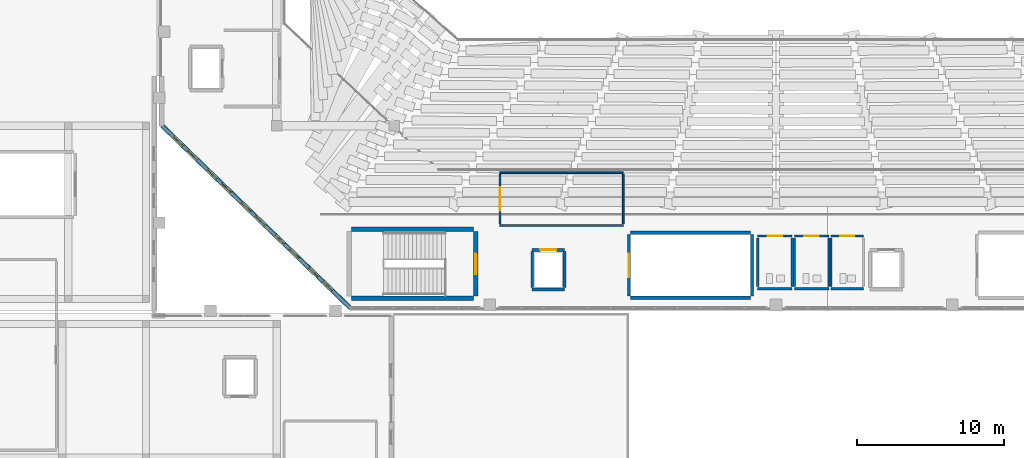
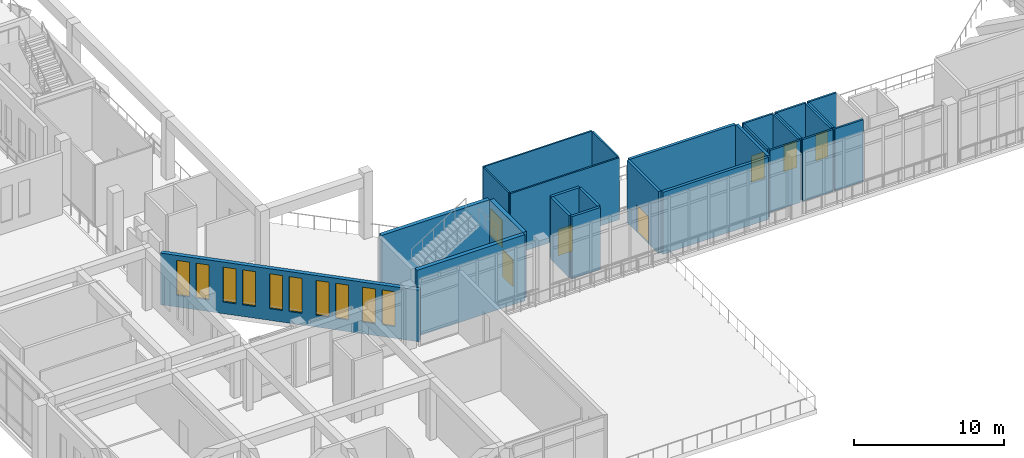
# One storey, part 44 of 55: 27 walls, 10 windows, 7 doors, 17 openings.
"""IFC4 building model written with IfcOpenShell, lengths in metres."""

from ifc_helpers import new_model, si_unit, derived_unit, direction, frame, frame_2d, origin, place, context, subcontext, project, spatial, rectangle, extrude, material, layer, layer_set, type_object, element, fill, save


model = new_model("IFC4")

# Units and contexts
model_context = context("Model", 3, precision=1e-05, world=origin(), true_north=direction((0.0, 1.0)))
body_context = subcontext(model_context, "Body", "Model", "MODEL_VIEW")
ifc_project = project(units=[si_unit("LENGTHUNIT", "METRE"), si_unit("AREAUNIT", "SQUARE_METRE"), si_unit("VOLUMEUNIT", "CUBIC_METRE"), si_unit("PLANEANGLEUNIT", "RADIAN"), si_unit("MASSUNIT", "GRAM", prefix="KILO"), derived_unit("THERMALTRANSMITTANCEUNIT", [(si_unit("MASSUNIT", "GRAM", prefix="KILO"), 1), (si_unit("TIMEUNIT", "SECOND"), -3), (si_unit("THERMODYNAMICTEMPERATUREUNIT", "KELVIN"), -1)])], contexts=[model_context])

# Site, building, storey
site_placement = place(None, origin())
site = spatial("IfcSite", under=ifc_project, at=site_placement, CompositionType="ELEMENT")
building_placement = place(site_placement, origin())
building = spatial("IfcBuilding", under=site, at=building_placement, Name="Valcora Ridge Arena", CompositionType="ELEMENT")
storey_placement = place(building_placement, frame((0.0, 0.0, 21.0)))
storey = spatial("IfcBuildingStorey", under=building, at=storey_placement, Name="L04", CompositionType="ELEMENT", Elevation=21.0)

# Wall, openings, windows
ifc_material_1 = material(Name="Bush-hammered Andean travertine on concrete backup C40/50", Category="masonry")
ifc_layer_1 = layer(ifc_material_1, 0.300048828125, Name="Bush-hammered Andean travertine on concrete backup C40/50")
ifc_layer_set_1 = layer_set([ifc_layer_1], Name="Bush-hammered Andean travertine on concrete backup C40/50")
wall_type_1 = type_object("IfcWallType", Name="TY-WALL-EW-TRV-30-42", PredefinedType="STANDARD", material=ifc_layer_set_1)
wall_1_placement = place(storey_placement, frame((16.199951171875, 32.60009765625, 0.0), z_axis=(0.0, 0.0, 1.0), x_axis=(0.718237441527, -0.695798086796, 0.0)))
wall_1 = element("IfcWall", 1, at=wall_1_placement, inside=storey, type_object=wall_type_1, Name="EW-TRV-30-42 WAL-EW-0061", PredefinedType="STANDARD", context=body_context, shape_type="SweptSolid", body=[
    extrude(rectangle(XDim=17.821533203125, YDim=0.300048828125, at=frame_2d((8.91064453125, 0.0))), origin(), (0.0, 0.0, 1.0), 4.2099609375),
])
opening_1_placement = place(wall_1_placement, frame((1.10009765625, 0.0, 0.949951171875)))
opening_1 = element("IfcOpeningElement", 2, at=opening_1_placement, cuts=wall_1, Name="Opening W-GLAN-90X285", PredefinedType="OPENING", context=body_context, shape_type="SweptSolid", body=[
    extrude(rectangle(XDim=0.89990234375, YDim=2.85009765625, at=frame_2d((0.449951171875, 1.425048828125))), frame((0.0, 0.159912109375, 0.0), z_axis=(0.0, -1.0, 0.0), x_axis=(1.0, 0.0, 0.0)), (0.0, 0.0, 1.0), 0.320068359375),
])
opening_2_placement = place(wall_1_placement, frame((2.449951171875, 0.0, 0.949951171875)))
opening_2 = element("IfcOpeningElement", 3, at=opening_2_placement, cuts=wall_1, Name="Opening W-GLAN-90X285", PredefinedType="OPENING", context=body_context, shape_type="SweptSolid", body=[
    extrude(rectangle(XDim=0.89990234375, YDim=2.85009765625, at=frame_2d((0.449951171875, 1.425048828125))), frame((0.0, 0.159912109375, 0.0), z_axis=(0.0, -1.0, 0.0), x_axis=(1.0, 0.0, 0.0)), (0.0, 0.0, 1.0), 0.320068359375),
])
opening_3_placement = place(wall_1_placement, frame((4.300048828125, 0.0, 0.949951171875)))
opening_3 = element("IfcOpeningElement", 4, at=opening_3_placement, cuts=wall_1, Name="Opening W-GLAN-90X285", PredefinedType="OPENING", context=body_context, shape_type="SweptSolid", body=[
    extrude(rectangle(XDim=0.89990234375, YDim=2.85009765625, at=frame_2d((0.449951171875, 1.425048828125))), frame((0.0, 0.159912109375, 0.0), z_axis=(0.0, -1.0, 0.0), x_axis=(1.0, 0.0, 0.0)), (0.0, 0.0, 1.0), 0.320068359375),
])
opening_4_placement = place(wall_1_placement, frame((5.64990234375, 0.0, 0.949951171875)))
opening_4 = element("IfcOpeningElement", 5, at=opening_4_placement, cuts=wall_1, Name="Opening W-GLAN-90X285", PredefinedType="OPENING", context=body_context, shape_type="SweptSolid", body=[
    extrude(rectangle(XDim=0.89990234375, YDim=2.85009765625, at=frame_2d((0.449951171875, 1.425048828125))), frame((0.0, 0.159912109375, 0.0), z_axis=(0.0, -1.0, 0.0), x_axis=(1.0, 0.0, 0.0)), (0.0, 0.0, 1.0), 0.320068359375),
])
opening_5_placement = place(wall_1_placement, frame((7.5, 0.0, 0.949951171875)))
opening_5 = element("IfcOpeningElement", 6, at=opening_5_placement, cuts=wall_1, Name="Opening W-GLAN-90X285", PredefinedType="OPENING", context=body_context, shape_type="SweptSolid", body=[
    extrude(rectangle(XDim=0.89990234375, YDim=2.85009765625, at=frame_2d((0.449951171875, 1.425048828125))), frame((0.0, 0.159912109375, 0.0), z_axis=(0.0, -1.0, 0.0), x_axis=(1.0, 0.0, 0.0)), (0.0, 0.0, 1.0), 0.320068359375),
])
opening_6_placement = place(wall_1_placement, frame((8.85009765625, 0.0, 0.949951171875)))
opening_6 = element("IfcOpeningElement", 7, at=opening_6_placement, cuts=wall_1, Name="Opening W-GLAN-90X285", PredefinedType="OPENING", context=body_context, shape_type="SweptSolid", body=[
    extrude(rectangle(XDim=0.89990234375, YDim=2.85009765625, at=frame_2d((0.449951171875, 1.425048828125))), frame((0.0, 0.159912109375, 0.0), z_axis=(0.0, -1.0, 0.0), x_axis=(1.0, 0.0, 0.0)), (0.0, 0.0, 1.0), 0.320068359375),
])
opening_7_placement = place(wall_1_placement, frame((10.699951171875, 0.0, 0.949951171875)))
opening_7 = element("IfcOpeningElement", 8, at=opening_7_placement, cuts=wall_1, Name="Opening W-GLAN-90X285", PredefinedType="OPENING", context=body_context, shape_type="SweptSolid", body=[
    extrude(rectangle(XDim=0.89990234375, YDim=2.85009765625, at=frame_2d((0.449951171875, 1.425048828125))), frame((0.0, 0.159912109375, 0.0), z_axis=(0.0, -1.0, 0.0), x_axis=(1.0, 0.0, 0.0)), (0.0, 0.0, 1.0), 0.320068359375),
])
opening_8_placement = place(wall_1_placement, frame((12.050048828125, 0.0, 0.949951171875)))
opening_8 = element("IfcOpeningElement", 9, at=opening_8_placement, cuts=wall_1, Name="Opening W-GLAN-90X285", PredefinedType="OPENING", context=body_context, shape_type="SweptSolid", body=[
    extrude(rectangle(XDim=0.89990234375, YDim=2.85009765625, at=frame_2d((0.449951171875, 1.425048828125))), frame((0.0, 0.159912109375, 0.0), z_axis=(0.0, -1.0, 0.0), x_axis=(1.0, 0.0, 0.0)), (0.0, 0.0, 1.0), 0.320068359375),
])
opening_9_placement = place(wall_1_placement, frame((13.89990234375, 0.0, 0.949951171875)))
opening_9 = element("IfcOpeningElement", 10, at=opening_9_placement, cuts=wall_1, Name="Opening W-GLAN-90X285", PredefinedType="OPENING", context=body_context, shape_type="SweptSolid", body=[
    extrude(rectangle(XDim=0.89990234375, YDim=2.85009765625, at=frame_2d((0.449951171875, 1.425048828125))), frame((0.0, 0.159912109375, 0.0), z_axis=(0.0, -1.0, 0.0), x_axis=(1.0, 0.0, 0.0)), (0.0, 0.0, 1.0), 0.320068359375),
])
opening_10_placement = place(wall_1_placement, frame((15.25, 0.0, 0.949951171875)))
opening_10 = element("IfcOpeningElement", 11, at=opening_10_placement, cuts=wall_1, Name="Opening W-GLAN-90X285", PredefinedType="OPENING", context=body_context, shape_type="SweptSolid", body=[
    extrude(rectangle(XDim=0.89990234375, YDim=2.85009765625, at=frame_2d((0.449951171875, 1.425048828125))), frame((0.0, 0.159912109375, 0.0), z_axis=(0.0, -1.0, 0.0), x_axis=(1.0, 0.0, 0.0)), (0.0, 0.0, 1.0), 0.320068359375),
])
ifc_material_2 = material(Name="Low-iron solar-control double glazing SHGC 0.28", Category="glass")
window_type = type_object("IfcWindowType", Name="TY-WINDOW-W-GLAN-90X285", PartitioningType="DOUBLE_PANEL_VERTICAL", PredefinedType="WINDOW", material=ifc_material_2)
window_1_placement = place(opening_1_placement, origin())
window_1 = element("IfcWindow", 12, at=window_1_placement, inside=storey, type_object=window_type, Name="W-GLAN-90X285 WIN-EX-0141", OverallHeight=2.85009765625, OverallWidth=0.89990234375, PartitioningType="DOUBLE_PANEL_VERTICAL", PredefinedType="WINDOW", context=body_context, shape_type="SweptSolid", body=[
    extrude(rectangle(XDim=0.89990234375, YDim=2.85009765625, at=frame_2d((0.449951171875, 1.425048828125))), frame((0.0, 0.030029296875, 0.0), z_axis=(0.0, -1.0, 0.0), x_axis=(1.0, 0.0, 0.0)), (0.0, 0.0, 1.0), 0.06005859375),
])
fill(opening_1, window_1)
window_2_placement = place(opening_2_placement, origin())
window_2 = element("IfcWindow", 13, at=window_2_placement, inside=storey, type_object=window_type, Name="W-GLAN-90X285 WIN-EX-0142", OverallHeight=2.85009765625, OverallWidth=0.89990234375, PartitioningType="DOUBLE_PANEL_VERTICAL", PredefinedType="WINDOW", context=body_context, shape_type="SweptSolid", body=[
    extrude(rectangle(XDim=0.89990234375, YDim=2.85009765625, at=frame_2d((0.449951171875, 1.425048828125))), frame((0.0, 0.030029296875, 0.0), z_axis=(0.0, -1.0, 0.0), x_axis=(1.0, 0.0, 0.0)), (0.0, 0.0, 1.0), 0.06005859375),
])
fill(opening_2, window_2)
window_3_placement = place(opening_3_placement, origin())
window_3 = element("IfcWindow", 14, at=window_3_placement, inside=storey, type_object=window_type, Name="W-GLAN-90X285 WIN-EX-0143", OverallHeight=2.85009765625, OverallWidth=0.89990234375, PartitioningType="DOUBLE_PANEL_VERTICAL", PredefinedType="WINDOW", context=body_context, shape_type="SweptSolid", body=[
    extrude(rectangle(XDim=0.89990234375, YDim=2.85009765625, at=frame_2d((0.449951171875, 1.425048828125))), frame((0.0, 0.030029296875, 0.0), z_axis=(0.0, -1.0, 0.0), x_axis=(1.0, 0.0, 0.0)), (0.0, 0.0, 1.0), 0.06005859375),
])
fill(opening_3, window_3)
window_4_placement = place(opening_4_placement, origin())
window_4 = element("IfcWindow", 15, at=window_4_placement, inside=storey, type_object=window_type, Name="W-GLAN-90X285 WIN-EX-0144", OverallHeight=2.85009765625, OverallWidth=0.89990234375, PartitioningType="DOUBLE_PANEL_VERTICAL", PredefinedType="WINDOW", context=body_context, shape_type="SweptSolid", body=[
    extrude(rectangle(XDim=0.89990234375, YDim=2.85009765625, at=frame_2d((0.449951171875, 1.425048828125))), frame((0.0, 0.030029296875, 0.0), z_axis=(0.0, -1.0, 0.0), x_axis=(1.0, 0.0, 0.0)), (0.0, 0.0, 1.0), 0.06005859375),
])
fill(opening_4, window_4)
window_5_placement = place(opening_5_placement, origin())
window_5 = element("IfcWindow", 16, at=window_5_placement, inside=storey, type_object=window_type, Name="W-GLAN-90X285 WIN-EX-0145", OverallHeight=2.85009765625, OverallWidth=0.89990234375, PartitioningType="DOUBLE_PANEL_VERTICAL", PredefinedType="WINDOW", context=body_context, shape_type="SweptSolid", body=[
    extrude(rectangle(XDim=0.89990234375, YDim=2.85009765625, at=frame_2d((0.449951171875, 1.425048828125))), frame((0.0, 0.030029296875, 0.0), z_axis=(0.0, -1.0, 0.0), x_axis=(1.0, 0.0, 0.0)), (0.0, 0.0, 1.0), 0.06005859375),
])
fill(opening_5, window_5)
window_6_placement = place(opening_6_placement, origin())
window_6 = element("IfcWindow", 17, at=window_6_placement, inside=storey, type_object=window_type, Name="W-GLAN-90X285 WIN-EX-0146", OverallHeight=2.85009765625, OverallWidth=0.89990234375, PartitioningType="DOUBLE_PANEL_VERTICAL", PredefinedType="WINDOW", context=body_context, shape_type="SweptSolid", body=[
    extrude(rectangle(XDim=0.89990234375, YDim=2.85009765625, at=frame_2d((0.449951171875, 1.425048828125))), frame((0.0, 0.030029296875, 0.0), z_axis=(0.0, -1.0, 0.0), x_axis=(1.0, 0.0, 0.0)), (0.0, 0.0, 1.0), 0.06005859375),
])
fill(opening_6, window_6)
window_7_placement = place(opening_7_placement, origin())
window_7 = element("IfcWindow", 18, at=window_7_placement, inside=storey, type_object=window_type, Name="W-GLAN-90X285 WIN-EX-0147", OverallHeight=2.85009765625, OverallWidth=0.89990234375, PartitioningType="DOUBLE_PANEL_VERTICAL", PredefinedType="WINDOW", context=body_context, shape_type="SweptSolid", body=[
    extrude(rectangle(XDim=0.89990234375, YDim=2.85009765625, at=frame_2d((0.449951171875, 1.425048828125))), frame((0.0, 0.030029296875, 0.0), z_axis=(0.0, -1.0, 0.0), x_axis=(1.0, 0.0, 0.0)), (0.0, 0.0, 1.0), 0.06005859375),
])
fill(opening_7, window_7)
window_8_placement = place(opening_8_placement, origin())
window_8 = element("IfcWindow", 19, at=window_8_placement, inside=storey, type_object=window_type, Name="W-GLAN-90X285 WIN-EX-0148", OverallHeight=2.85009765625, OverallWidth=0.89990234375, PartitioningType="DOUBLE_PANEL_VERTICAL", PredefinedType="WINDOW", context=body_context, shape_type="SweptSolid", body=[
    extrude(rectangle(XDim=0.89990234375, YDim=2.85009765625, at=frame_2d((0.449951171875, 1.425048828125))), frame((0.0, 0.030029296875, 0.0), z_axis=(0.0, -1.0, 0.0), x_axis=(1.0, 0.0, 0.0)), (0.0, 0.0, 1.0), 0.06005859375),
])
fill(opening_8, window_8)
window_9_placement = place(opening_9_placement, origin())
window_9 = element("IfcWindow", 20, at=window_9_placement, inside=storey, type_object=window_type, Name="W-GLAN-90X285 WIN-EX-0149", OverallHeight=2.85009765625, OverallWidth=0.89990234375, PartitioningType="DOUBLE_PANEL_VERTICAL", PredefinedType="WINDOW", context=body_context, shape_type="SweptSolid", body=[
    extrude(rectangle(XDim=0.89990234375, YDim=2.85009765625, at=frame_2d((0.449951171875, 1.425048828125))), frame((0.0, 0.030029296875, 0.0), z_axis=(0.0, -1.0, 0.0), x_axis=(1.0, 0.0, 0.0)), (0.0, 0.0, 1.0), 0.06005859375),
])
fill(opening_9, window_9)
window_10_placement = place(opening_10_placement, origin())
window_10 = element("IfcWindow", 21, at=window_10_placement, inside=storey, type_object=window_type, Name="W-GLAN-90X285 WIN-EX-0150", OverallHeight=2.85009765625, OverallWidth=0.89990234375, PartitioningType="DOUBLE_PANEL_VERTICAL", PredefinedType="WINDOW", context=body_context, shape_type="SweptSolid", body=[
    extrude(rectangle(XDim=0.89990234375, YDim=2.85009765625, at=frame_2d((0.449951171875, 1.425048828125))), frame((0.0, 0.030029296875, 0.0), z_axis=(0.0, -1.0, 0.0), x_axis=(1.0, 0.0, 0.0)), (0.0, 0.0, 1.0), 0.06005859375),
])
fill(opening_10, window_10)

# Wall
ifc_material_3 = material(Name="Fire-rated masonry-core compartment wall C35/45 150 mm", Category="masonry")
ifc_layer_2 = layer(ifc_material_3, 0.14990234375, Name="Fire-rated masonry-core compartment wall C35/45 150 mm")
ifc_layer_set_2 = layer_set([ifc_layer_2], Name="Fire-rated masonry-core compartment wall C35/45 150 mm")
wall_type_2 = type_object("IfcWallType", Name="TY-WALL-IW-COMP-150", PredefinedType="STANDARD", material=ifc_layer_set_2)
wall_2_placement = place(storey_placement, frame((56.75, 21.5, 0.0), z_axis=(0.0, 0.0, 1.0), x_axis=(1.0, 0.0, 0.0)))
element("IfcWall", 22, at=wall_2_placement, inside=storey, type_object=wall_type_2, Name="IW-COMP-150 WAL-IN-0155", PredefinedType="STANDARD", context=body_context, shape_type="SweptSolid", body=[
    extrude(rectangle(XDim=2.35009765625, YDim=0.14990234375, at=frame_2d((1.175048828125, 0.0))), origin(), (0.0, 0.0, 1.0), 5.06005859375),
])

# Wall, opening, door
wall_3_placement = place(storey_placement, frame((56.75, 25.10009765625, 0.0), z_axis=(0.0, 0.0, 1.0), x_axis=(1.0, 0.0, 0.0)))
wall_3 = element("IfcWall", 23, at=wall_3_placement, inside=storey, type_object=wall_type_2, Name="IW-COMP-150 WAL-IN-0156", PredefinedType="STANDARD", context=body_context, shape_type="SweptSolid", body=[
    extrude(rectangle(XDim=2.35009765625, YDim=0.14990234375, at=frame_2d((1.175048828125, 0.0))), origin(), (0.0, 0.0, 1.0), 5.06005859375),
])
opening_11_placement = place(wall_3_placement, frame((0.675048828125, 0.0, 0.0)))
opening_11 = element("IfcOpeningElement", 24, at=opening_11_placement, cuts=wall_3, Name="Opening D-WC-1000", PredefinedType="OPENING", context=body_context, shape_type="SweptSolid", body=[
    extrude(rectangle(XDim=1.0, YDim=2.14990234375, at=frame_2d((0.5, 1.074951171875))), frame((0.0, 0.0849609375, 0.0), z_axis=(0.0, -1.0, 0.0), x_axis=(1.0, 0.0, 0.0)), (0.0, 0.0, 1.0), 0.169921875),
])
ifc_material_4 = material(Name="Insulated fire-rated steel door leaf", Category="steel")
door_type_1 = type_object("IfcDoorType", Name="TY-DOOR-D-WC-1000", OperationType="NOTDEFINED", PredefinedType="DOOR", material=ifc_material_4)
door_1_placement = place(opening_11_placement, origin())
door_1 = element("IfcDoor", 25, at=door_1_placement, inside=storey, type_object=door_type_1, Name="D-WC-1000 DOR-IN-0043", OperationType="SINGLE_SWING_LEFT", OverallHeight=2.14990234375, OverallWidth=1.0, PredefinedType="DOOR", context=body_context, shape_type="SweptSolid", body=[
    extrude(rectangle(XDim=1.0, YDim=2.14990234375, at=frame_2d((0.5, 1.074951171875))), frame((0.0, 0.02490234375, 0.0), z_axis=(0.0, -1.0, 0.0), x_axis=(1.0, 0.0, 0.0)), (0.0, 0.0, 1.0), 0.050048828125),
])
fill(opening_11, door_1)

# Walls
for number, where, z_axis, x_axis, name in (
    (26, (56.75, 21.64990234375, 0.0), (0.0, 0.0, 1.0), (0.0, 1.0, 0.0), "IW-COMP-150 WAL-IN-0157"),
    (27, (59.10009765625, 21.64990234375, 0.0), (0.0, 0.0, 1.0), (0.0, 1.0, 0.0), "IW-COMP-150 WAL-IN-0158"),
):
    element("IfcWall", number, at=place(storey_placement, frame(where, z_axis=z_axis, x_axis=x_axis)), inside=storey, type_object=wall_type_2, Name=name, PredefinedType="STANDARD", context=body_context, shape_type="SweptSolid", body=[
        extrude(rectangle(XDim=3.300048828125, YDim=0.14990234375, at=frame_2d((1.64990234375, 0.0))), origin(), (0.0, 0.0, 1.0), 5.06005859375),
    ])
wall_4_placement = place(storey_placement, frame((59.25, 21.5, 0.0), z_axis=(0.0, 0.0, 1.0), x_axis=(1.0, 0.0, 0.0)))
element("IfcWall", 28, at=wall_4_placement, inside=storey, type_object=wall_type_2, Name="IW-COMP-150 WAL-IN-0159", PredefinedType="STANDARD", context=body_context, shape_type="SweptSolid", body=[
    extrude(rectangle(XDim=2.35009765625, YDim=0.14990234375, at=frame_2d((1.175048828125, 0.0))), origin(), (0.0, 0.0, 1.0), 5.06005859375),
])

# Wall, opening, door
wall_5_placement = place(storey_placement, frame((59.25, 25.10009765625, 0.0), z_axis=(0.0, 0.0, 1.0), x_axis=(1.0, 0.0, 0.0)))
wall_5 = element("IfcWall", 29, at=wall_5_placement, inside=storey, type_object=wall_type_2, Name="IW-COMP-150 WAL-IN-0160", PredefinedType="STANDARD", context=body_context, shape_type="SweptSolid", body=[
    extrude(rectangle(XDim=2.35009765625, YDim=0.14990234375, at=frame_2d((1.175048828125, 0.0))), origin(), (0.0, 0.0, 1.0), 5.06005859375),
])
opening_12_placement = place(wall_5_placement, frame((0.675048828125, 0.0, 0.0)))
opening_12 = element("IfcOpeningElement", 30, at=opening_12_placement, cuts=wall_5, Name="Opening D-WC-1000", PredefinedType="OPENING", context=body_context, shape_type="SweptSolid", body=[
    extrude(rectangle(XDim=1.0, YDim=2.14990234375, at=frame_2d((0.5, 1.074951171875))), frame((0.0, 0.0849609375, 0.0), z_axis=(0.0, -1.0, 0.0), x_axis=(1.0, 0.0, 0.0)), (0.0, 0.0, 1.0), 0.169921875),
])
door_2_placement = place(opening_12_placement, origin())
door_2 = element("IfcDoor", 31, at=door_2_placement, inside=storey, type_object=door_type_1, Name="D-WC-1000 DOR-IN-0044", OperationType="SINGLE_SWING_RIGHT", OverallHeight=2.14990234375, OverallWidth=1.0, PredefinedType="DOOR", context=body_context, shape_type="SweptSolid", body=[
    extrude(rectangle(XDim=1.0, YDim=2.14990234375, at=frame_2d((0.5, 1.074951171875))), frame((0.0, 0.02490234375, 0.0), z_axis=(0.0, -1.0, 0.0), x_axis=(1.0, 0.0, 0.0)), (0.0, 0.0, 1.0), 0.050048828125),
])
fill(opening_12, door_2)

# Walls
for number, where, z_axis, x_axis, name in (
    (32, (59.25, 21.64990234375, 0.0), (0.0, 0.0, 1.0), (0.0, 1.0, 0.0), "IW-COMP-150 WAL-IN-0161"),
    (33, (61.60009765625, 21.64990234375, 0.0), (0.0, 0.0, 1.0), (0.0, 1.0, 0.0), "IW-COMP-150 WAL-IN-0162"),
):
    element("IfcWall", number, at=place(storey_placement, frame(where, z_axis=z_axis, x_axis=x_axis)), inside=storey, type_object=wall_type_2, Name=name, PredefinedType="STANDARD", context=body_context, shape_type="SweptSolid", body=[
        extrude(rectangle(XDim=3.300048828125, YDim=0.14990234375, at=frame_2d((1.64990234375, 0.0))), origin(), (0.0, 0.0, 1.0), 5.06005859375),
    ])
wall_6_placement = place(storey_placement, frame((61.75, 21.5, 0.0), z_axis=(0.0, 0.0, 1.0), x_axis=(1.0, 0.0, 0.0)))
element("IfcWall", 34, at=wall_6_placement, inside=storey, type_object=wall_type_2, Name="IW-COMP-150 WAL-IN-0163", PredefinedType="STANDARD", context=body_context, shape_type="SweptSolid", body=[
    extrude(rectangle(XDim=2.199951171875, YDim=0.14990234375, at=frame_2d((1.10009765625, 0.0))), origin(), (0.0, 0.0, 1.0), 5.06005859375),
])

# Wall, opening, door
wall_7_placement = place(storey_placement, frame((61.75, 25.10009765625, 0.0), z_axis=(0.0, 0.0, 1.0), x_axis=(1.0, 0.0, 0.0)))
wall_7 = element("IfcWall", 35, at=wall_7_placement, inside=storey, type_object=wall_type_2, Name="IW-COMP-150 WAL-IN-0164", PredefinedType="STANDARD", context=body_context, shape_type="SweptSolid", body=[
    extrude(rectangle(XDim=2.199951171875, YDim=0.14990234375, at=frame_2d((1.10009765625, 0.0))), origin(), (0.0, 0.0, 1.0), 5.06005859375),
])
opening_13_placement = place(wall_7_placement, frame((0.625, 0.0, 0.0)))
opening_13 = element("IfcOpeningElement", 36, at=opening_13_placement, cuts=wall_7, Name="Opening D-WC-950", PredefinedType="OPENING", context=body_context, shape_type="SweptSolid", body=[
    extrude(rectangle(XDim=0.949951171875, YDim=2.14990234375, at=frame_2d((0.47509765625, 1.074951171875))), frame((0.0, 0.0849609375, 0.0), z_axis=(0.0, -1.0, 0.0), x_axis=(1.0, 0.0, 0.0)), (0.0, 0.0, 1.0), 0.169921875),
])
door_type_2 = type_object("IfcDoorType", Name="TY-DOOR-D-WC-950", OperationType="NOTDEFINED", PredefinedType="DOOR", material=ifc_material_4)
door_3_placement = place(opening_13_placement, origin())
door_3 = element("IfcDoor", 37, at=door_3_placement, inside=storey, type_object=door_type_2, Name="D-WC-950 DOR-IN-0045", OperationType="SINGLE_SWING_LEFT", OverallHeight=2.14990234375, OverallWidth=0.949951171875, PredefinedType="DOOR", context=body_context, shape_type="SweptSolid", body=[
    extrude(rectangle(XDim=0.949951171875, YDim=2.14990234375, at=frame_2d((0.47509765625, 1.074951171875))), frame((0.0, 0.02490234375, 0.0), z_axis=(0.0, -1.0, 0.0), x_axis=(1.0, 0.0, 0.0)), (0.0, 0.0, 1.0), 0.050048828125),
])
fill(opening_13, door_3)

# Walls
wall_8_placement = place(storey_placement, frame((61.75, 21.64990234375, 0.0), z_axis=(0.0, 0.0, 1.0), x_axis=(0.0, 1.0, 0.0)))
element("IfcWall", 38, at=wall_8_placement, inside=storey, type_object=wall_type_2, Name="IW-COMP-150 WAL-IN-0165", PredefinedType="STANDARD", context=body_context, shape_type="SweptSolid", body=[
    extrude(rectangle(XDim=3.300048828125, YDim=0.14990234375, at=frame_2d((1.64990234375, 0.0))), origin(), (0.0, 0.0, 1.0), 5.06005859375),
])
ifc_material_5 = material(Name="Acoustic metal-stud gypsum partition 120 mm")
ifc_layer_3 = layer(ifc_material_5, 0.1201171875, Name="Acoustic metal-stud gypsum partition 120 mm")
ifc_layer_set_3 = layer_set([ifc_layer_3], Name="Acoustic metal-stud gypsum partition 120 mm")
wall_type_3 = type_object("IfcWallType", Name="TY-WALL-IW-PART-120", PredefinedType="PARTITIONING", material=ifc_layer_set_3)
for number, where, z_axis, x_axis, name in (
    (39, (39.199951171875, 25.800048828125, 0.0), (0.0, 0.0, 1.0), (1.0, 0.0, 0.0), "IW-PART-120 WAL-IN-0455"),
    (40, (39.199951171875, 29.39990234375, 0.0), (0.0, 0.0, 1.0), (1.0, 0.0, 0.0), "IW-PART-120 WAL-IN-0456"),
):
    element("IfcWall", number, at=place(storey_placement, frame(where, z_axis=z_axis, x_axis=x_axis)), inside=storey, type_object=wall_type_3, Name=name, PredefinedType="PARTITIONING", context=body_context, shape_type="SweptSolid", body=[
        extrude(rectangle(XDim=8.400146484375, YDim=0.1201171875, at=frame_2d((4.2001953125, 0.0))), origin(), (0.0, 0.0, 1.0), 5.06005859375),
    ])

# Wall, opening, door
wall_9_placement = place(storey_placement, frame((39.199951171875, 25.919921875, 0.0), z_axis=(0.0, 0.0, 1.0), x_axis=(0.0, 1.0, 0.0)))
wall_9 = element("IfcWall", 41, at=wall_9_placement, inside=storey, type_object=wall_type_3, Name="IW-PART-120 WAL-IN-0457", PredefinedType="PARTITIONING", context=body_context, shape_type="SweptSolid", body=[
    extrude(rectangle(XDim=3.360107421875, YDim=0.1201171875, at=frame_2d((1.68017578125, 0.0))), origin(), (0.0, 0.0, 1.0), 5.06005859375),
])
opening_14_placement = place(wall_9_placement, frame((0.8798828125, 0.0, 0.0)))
opening_14 = element("IfcOpeningElement", 42, at=opening_14_placement, cuts=wall_9, Name="Opening D-PUB-1600", PredefinedType="OPENING", context=body_context, shape_type="SweptSolid", body=[
    extrude(rectangle(XDim=1.60009765625, YDim=2.25, at=frame_2d((0.800048828125, 1.125))), frame((0.0, 0.070068359375, 0.0), z_axis=(0.0, -1.0, 0.0), x_axis=(1.0, 0.0, 0.0)), (0.0, 0.0, 1.0), 0.14013671875),
])
ifc_material_6 = material(Name="Solid-core acoustic timber veneer door leaf", Category="wood")
door_type_3 = type_object("IfcDoorType", Name="TY-DOOR-D-PUB-1600", OperationType="NOTDEFINED", PredefinedType="DOOR", material=ifc_material_6)
door_4_placement = place(opening_14_placement, origin())
door_4 = element("IfcDoor", 43, at=door_4_placement, inside=storey, type_object=door_type_3, Name="D-PUB-1600 DOR-IN-0119", OperationType="DOUBLE_DOOR_SINGLE_SWING", OverallHeight=2.25, OverallWidth=1.60009765625, PredefinedType="DOOR", context=body_context, shape_type="SweptSolid", body=[
    extrude(rectangle(XDim=1.60009765625, YDim=2.25, at=frame_2d((0.800048828125, 1.125))), frame((0.0, 0.02490234375, 0.0), z_axis=(0.0, -1.0, 0.0), x_axis=(1.0, 0.0, 0.0)), (0.0, 0.0, 1.0), 0.050048828125),
])
fill(opening_14, door_4)

# Walls
wall_10_placement = place(storey_placement, frame((47.60009765625, 25.919921875, 0.0), z_axis=(0.0, 0.0, 1.0), x_axis=(0.0, 1.0, 0.0)))
element("IfcWall", 44, at=wall_10_placement, inside=storey, type_object=wall_type_3, Name="IW-PART-120 WAL-IN-0458", PredefinedType="PARTITIONING", context=body_context, shape_type="SweptSolid", body=[
    extrude(rectangle(XDim=3.360107421875, YDim=0.1201171875, at=frame_2d((1.68017578125, 0.0))), origin(), (0.0, 0.0, 1.0), 5.06005859375),
])
ifc_material_7 = material(Name="Concrete C40/50", Category="concrete")
ifc_layer_4 = layer(ifc_material_7, 0.199951171875, Name="Concrete C40/50")
ifc_layer_set_4 = layer_set([ifc_layer_4], Name="Concrete C40/50")
wall_type_4 = type_object("IfcWallType", Name="TY-WALL-IW-SHF-200", PredefinedType="STANDARD", material=ifc_layer_set_4)
wall_11_placement = place(storey_placement, frame((41.39990234375, 21.449951171875, 0.0), z_axis=(0.0, 0.0, 1.0), x_axis=(1.0, 0.0, 0.0)))
element("IfcWall", 45, at=wall_11_placement, inside=storey, type_object=wall_type_4, Name="IW-SHF-200 WAL-SH-0077", PredefinedType="STANDARD", context=body_context, shape_type="SweptSolid", body=[
    extrude(rectangle(XDim=2.2001953125, YDim=0.199951171875, at=frame_2d((1.10009765625, 0.0))), origin(), (0.0, 0.0, 1.0), 5.06005859375),
])

# Wall, opening, door
wall_12_placement = place(storey_placement, frame((41.39990234375, 24.14990234375, 0.0), z_axis=(0.0, 0.0, 1.0), x_axis=(1.0, 0.0, 0.0)))
wall_12 = element("IfcWall", 46, at=wall_12_placement, inside=storey, type_object=wall_type_4, Name="IW-SHF-200 WAL-SH-0078", PredefinedType="STANDARD", context=body_context, shape_type="SweptSolid", body=[
    extrude(rectangle(XDim=2.2001953125, YDim=0.199951171875, at=frame_2d((1.10009765625, 0.0))), origin(), (0.0, 0.0, 1.0), 5.06005859375),
])
opening_15_placement = place(wall_12_placement, frame((0.550048828125, 0.0, 0.0)))
opening_15 = element("IfcOpeningElement", 47, at=opening_15_placement, cuts=wall_12, Name="Opening LD-PAX", PredefinedType="OPENING", context=body_context, shape_type="SweptSolid", body=[
    extrude(rectangle(XDim=1.10009765625, YDim=2.14990234375, at=frame_2d((0.550048828125, 1.074951171875))), frame((0.0, 0.10986328125, 0.0), z_axis=(0.0, -1.0, 0.0), x_axis=(1.0, 0.0, 0.0)), (0.0, 0.0, 1.0), 0.219970703125),
])
ifc_material_8 = material(Name="Insulated fire-rated hollow metal steel", Category="steel")
door_type_4 = type_object("IfcDoorType", Name="TY-DOOR-LD-PAX", OperationType="NOTDEFINED", PredefinedType="DOOR", material=ifc_material_8)
door_5_placement = place(opening_15_placement, origin())
door_5 = element("IfcDoor", 48, at=door_5_placement, inside=storey, type_object=door_type_4, Name="PL1 Landing Door L04", OperationType="SLIDING_TO_LEFT", OverallHeight=2.14990234375, OverallWidth=1.10009765625, PredefinedType="DOOR", context=body_context, shape_type="SweptSolid", body=[
    extrude(rectangle(XDim=1.10009765625, YDim=2.14990234375, at=frame_2d((0.550048828125, 1.074951171875))), frame((0.0, 0.02490234375, 0.0), z_axis=(0.0, -1.0, 0.0), x_axis=(1.0, 0.0, 0.0)), (0.0, 0.0, 1.0), 0.050048828125),
])
fill(opening_15, door_5)

# Walls
for number, where, z_axis, x_axis, name in (
    (49, (41.39990234375, 21.570068359375, 0.0), (0.0, 0.0, 1.0), (0.0, 1.0, 0.0), "IW-SHF-200 WAL-SH-0079"),
    (50, (43.60009765625, 21.570068359375, 0.0), (0.0, 0.0, 1.0), (0.0, 1.0, 0.0), "IW-SHF-200 WAL-SH-0080"),
):
    element("IfcWall", number, at=place(storey_placement, frame(where, z_axis=z_axis, x_axis=x_axis)), inside=storey, type_object=wall_type_4, Name=name, PredefinedType="STANDARD", context=body_context, shape_type="SweptSolid", body=[
        extrude(rectangle(XDim=2.4599609375, YDim=0.199951171875, at=frame_2d((1.22998046875, 0.0))), origin(), (0.0, 0.0, 1.0), 5.06005859375),
    ])
ifc_material_9 = material(Name="Concrete C45/55", Category="concrete")
ifc_layer_5 = layer(ifc_material_9, 0.300048828125, Name="Concrete C45/55")
ifc_layer_set_5 = layer_set([ifc_layer_5], Name="Concrete C45/55")
wall_type_5 = type_object("IfcWallType", Name="TY-WALL-SW-C300-L", PredefinedType="SHEAR", material=ifc_layer_set_5)
for number, where, z_axis, x_axis, name in (
    (51, (29.080078125, 20.85009765625, 0.0), (0.0, 0.0, 1.0), (1.0, 0.0, 0.0), "SW-C300-L WAL-CR-0021"),
    (52, (29.080078125, 25.550048828125, 0.0), (0.0, 0.0, 1.0), (1.0, 0.0, 0.0), "SW-C300-L WAL-CR-0022"),
):
    element("IfcWall", number, at=place(storey_placement, frame(where, z_axis=z_axis, x_axis=x_axis)), inside=storey, type_object=wall_type_5, Name=name, PredefinedType="SHEAR", context=body_context, shape_type="SweptSolid", body=[
        extrude(rectangle(XDim=8.31982421875, YDim=0.300048828125, at=frame_2d((4.159912109375, 0.0))), origin(), (0.0, 0.0, 1.0), 5.39990234375),
    ])

# Wall, opening, door
ifc_layer_6 = layer(ifc_material_9, 0.300048828125, Name="Concrete C45/55")
ifc_layer_set_6 = layer_set([ifc_layer_6], Name="Concrete C45/55")
wall_type_6 = type_object("IfcWallType", Name="TY-WALL-SW-C300-S", PredefinedType="SHEAR", material=ifc_layer_set_6)
wall_13_placement = place(storey_placement, frame((37.550048828125, 21.0, 0.0), z_axis=(0.0, 0.0, 1.0), x_axis=(0.0, 1.0, 0.0)))
wall_13 = element("IfcWall", 53, at=wall_13_placement, inside=storey, type_object=wall_type_6, Name="SW-C300-S WAL-CR-0024", PredefinedType="SHEAR", context=body_context, shape_type="SweptSolid", body=[
    extrude(rectangle(XDim=4.39990234375, YDim=0.300048828125, at=frame_2d((2.199951171875, 0.0))), origin(), (0.0, 0.0, 1.0), 5.39990234375),
])
opening_16_placement = place(wall_13_placement, frame((1.5, 0.0, 0.0)))
opening_16 = element("IfcOpeningElement", 54, at=opening_16_placement, cuts=wall_13, Name="Opening FD-01", PredefinedType="OPENING", context=body_context, shape_type="SweptSolid", body=[
    extrude(rectangle(XDim=1.39990234375, YDim=2.199951171875, at=frame_2d((0.699951171875, 1.10009765625))), frame((0.0, 0.159912109375, 0.0), z_axis=(0.0, -1.0, 0.0), x_axis=(1.0, 0.0, 0.0)), (0.0, 0.0, 1.0), 0.320068359375),
])
door_type_5 = type_object("IfcDoorType", Name="TY-DOOR-FD-01", OperationType="NOTDEFINED", PredefinedType="DOOR", material=ifc_material_4)
door_6_placement = place(opening_16_placement, origin())
door_6 = element("IfcDoor", 55, at=door_6_placement, inside=storey, type_object=door_type_5, Name="FD-01 DOR-ST-0006", OperationType="DOUBLE_DOOR_SINGLE_SWING", OverallHeight=2.199951171875, OverallWidth=1.39990234375, PredefinedType="DOOR", context=body_context, shape_type="SweptSolid", body=[
    extrude(rectangle(XDim=1.39990234375, YDim=2.199951171875, at=frame_2d((0.699951171875, 1.10009765625))), frame((0.0, 0.02490234375, 0.0), z_axis=(0.0, -1.0, 0.0), x_axis=(1.0, 0.0, 0.0)), (0.0, 0.0, 1.0), 0.050048828125),
])
fill(opening_16, door_6)

# Walls
ifc_material_10 = material(Name="Fire-resisting reinforced concrete enclosure C40/50 200 mm", Category="concrete")
ifc_layer_7 = layer(ifc_material_10, 0.219970703125, Name="Fire-resisting reinforced concrete enclosure C40/50 200 mm")
ifc_layer_set_7 = layer_set([ifc_layer_7], Name="Fire-resisting reinforced concrete enclosure C40/50 200 mm")
wall_type_7 = type_object("IfcWallType", Name="TY-WALL-SW-ES-220", PredefinedType="SHEAR", material=ifc_layer_set_7)
for number, where, z_axis, x_axis, name in (
    (56, (48.10009765625, 20.889892578125, 0.0), (0.0, 0.0, 1.0), (1.0, 0.0, 0.0), "SW-ES-220 WAL-ES-0021"),
    (57, (48.10009765625, 25.31005859375, 0.0), (0.0, 0.0, 1.0), (1.0, 0.0, 0.0), "SW-ES-220 WAL-ES-0022"),
):
    element("IfcWall", number, at=place(storey_placement, frame(where, z_axis=z_axis, x_axis=x_axis)), inside=storey, type_object=wall_type_7, Name=name, PredefinedType="SHEAR", context=body_context, shape_type="SweptSolid", body=[
        extrude(rectangle(XDim=8.159912109375, YDim=0.219970703125, at=frame_2d((4.080078125, 0.0))), origin(), (0.0, 0.0, 1.0), 5.06005859375),
    ])

# Wall, opening, door
wall_14_placement = place(storey_placement, frame((47.989990234375, 21.0, 0.0), z_axis=(0.0, 0.0, 1.0), x_axis=(0.0, 1.0, 0.0)))
wall_14 = element("IfcWall", 58, at=wall_14_placement, inside=storey, type_object=wall_type_7, Name="SW-ES-220 WAL-ES-0023", PredefinedType="SHEAR", context=body_context, shape_type="SweptSolid", body=[
    extrude(rectangle(XDim=4.199951171875, YDim=0.219970703125, at=frame_2d((2.10009765625, 0.0))), origin(), (0.0, 0.0, 1.0), 5.06005859375),
])
opening_17_placement = place(wall_14_placement, frame((1.300048828125, 0.0, 0.0)))
opening_17 = element("IfcOpeningElement", 59, at=opening_17_placement, cuts=wall_14, Name="Opening FD-02", PredefinedType="OPENING", context=body_context, shape_type="SweptSolid", body=[
    extrude(rectangle(XDim=1.60009765625, YDim=2.199951171875, at=frame_2d((0.800048828125, 1.10009765625))), frame((0.0, 0.119873046875, 0.0), z_axis=(0.0, -1.0, 0.0), x_axis=(1.0, 0.0, 0.0)), (0.0, 0.0, 1.0), 0.239990234375),
])
door_type_6 = type_object("IfcDoorType", Name="TY-DOOR-FD-02", OperationType="NOTDEFINED", PredefinedType="DOOR", material=ifc_material_4)
door_7_placement = place(opening_17_placement, origin())
door_7 = element("IfcDoor", 60, at=door_7_placement, inside=storey, type_object=door_type_6, Name="FD-02 DOR-ES-0005", OperationType="DOUBLE_DOOR_SINGLE_SWING", OverallHeight=2.199951171875, OverallWidth=1.60009765625, PredefinedType="DOOR", context=body_context, shape_type="SweptSolid", body=[
    extrude(rectangle(XDim=1.60009765625, YDim=2.199951171875, at=frame_2d((0.800048828125, 1.10009765625))), frame((0.0, 0.02490234375, 0.0), z_axis=(0.0, -1.0, 0.0), x_axis=(1.0, 0.0, 0.0)), (0.0, 0.0, 1.0), 0.050048828125),
])
fill(opening_17, door_7)

# Wall
wall_15_placement = place(storey_placement, frame((56.3701171875, 21.0, 0.0), z_axis=(0.0, 0.0, 1.0), x_axis=(0.0, 1.0, 0.0)))
element("IfcWall", 61, at=wall_15_placement, inside=storey, type_object=wall_type_7, Name="SW-ES-220 WAL-ES-0024", PredefinedType="SHEAR", context=body_context, shape_type="SweptSolid", body=[
    extrude(rectangle(XDim=4.199951171875, YDim=0.219970703125, at=frame_2d((2.10009765625, 0.0))), origin(), (0.0, 0.0, 1.0), 5.06005859375),
])

save(model, "model.ifc")
